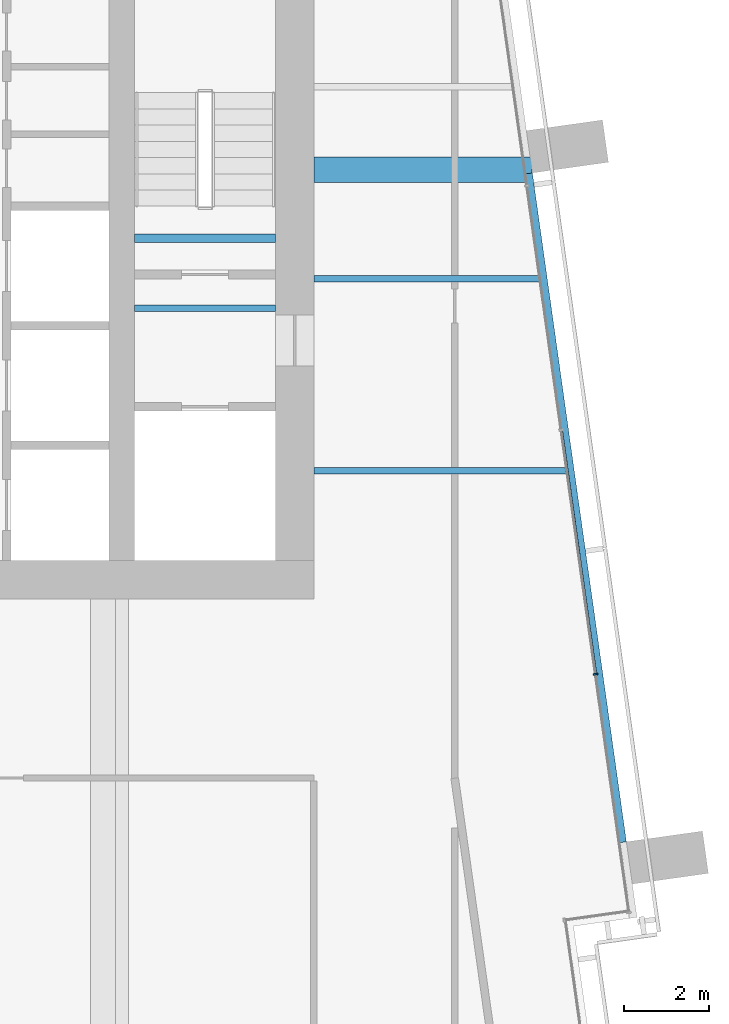
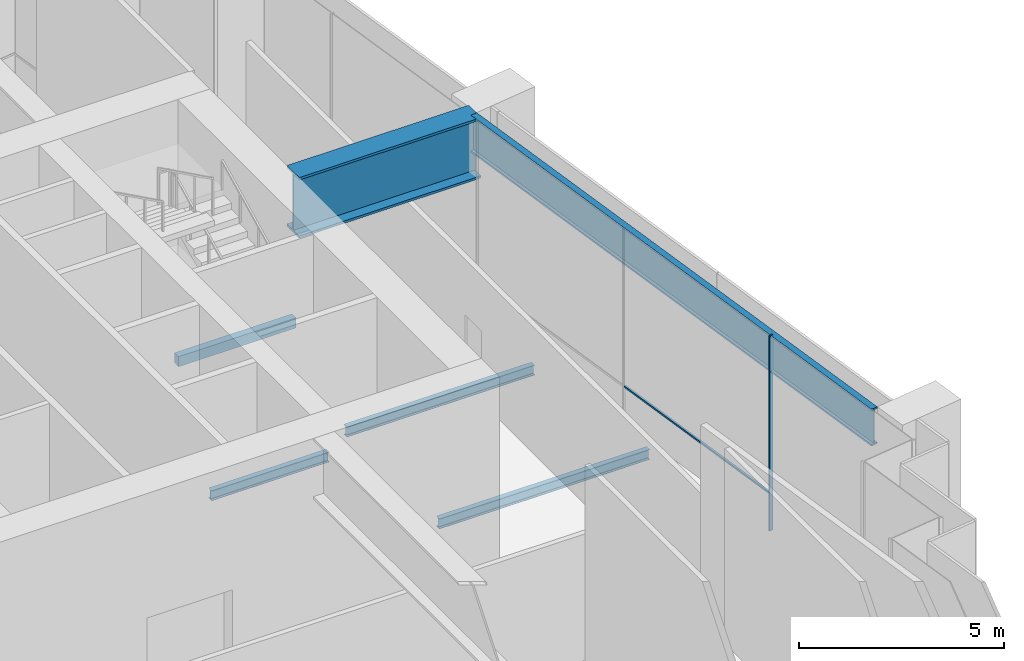
# One storey, part 8 of 25: 6 beams, 2 members, 1 element without a shape of its own.
"""IFC4 building model written with IfcOpenShell, lengths in metres."""

import ifcopenshell
import ifcopenshell.guid

model = None  # the IFC model being written
_history = None  # IfcOwnerHistory: only IFC2X3 demands one
_inside = {}  # id of a spatial element -> (the spatial element, [elements in it])
_under = {}  # id of a project, library or spatial element -> (it, [spatial elements below it])
_declared = {}  # id of a project -> (the project, [libraries it declares])
_typed = {}  # id of a type object -> (the type object, [elements of that type])
_made_of = {}  # id of a material, layer set ... -> (it, [elements and type objects made of it])


def new_model(schema):
    """Start an empty IFC model of exactly this schema.

    Asked for "IFC4X3", IfcOpenShell would pick the latest addendum, in which some entities
    have other attributes; the version numbers below select the first issue.
    IFC2X3 requires an IfcOwnerHistory on every rooted entity: one is made here for all.
    """
    global model, _history
    if schema == "IFC4X3":
        model = ifcopenshell.file(schema_version=(4, 3, 0, 0))
    else:
        model = ifcopenshell.file(schema=schema)
    _inside.clear()
    _under.clear()
    _declared.clear()
    _typed.clear()
    _made_of.clear()
    _history = None
    if model.schema == "IFC2X3":
        org = make("IfcOrganization", Name="unknown")
        user = make(
            "IfcPersonAndOrganization",
            ThePerson=make("IfcPerson", FamilyName="unknown"),
            TheOrganization=org,
        )
        app = make(
            "IfcApplication",
            ApplicationDeveloper=org,
            Version="unknown",
            ApplicationFullName="unknown",
            ApplicationIdentifier="unknown",
        )
        _history = make(
            "IfcOwnerHistory",
            OwningUser=user,
            OwningApplication=app,
            ChangeAction="ADDED",
            CreationDate=0,
        )
    return model


def make(cls, **values):
    """One entity of the class cls with the attributes given. An attribute that is None is left unset."""
    return model.create_entity(
        cls, **{name: value for name, value in values.items() if value is not None}
    )


def rooted(cls, **values):
    """An entity with a GlobalId (a new one), such as an element, a storey or a relation."""
    return make(cls, GlobalId=ifcopenshell.guid.new(), OwnerHistory=_history, **values)


def si_unit(unit_type, name, prefix=None):
    """IfcSIUnit, for example si_unit("LENGTHUNIT", "METRE", prefix="MILLI")."""
    return make("IfcSIUnit", UnitType=unit_type, Prefix=prefix, Name=name)


def assignment(units):
    """IfcUnitAssignment: the units of a project."""
    return None if units is None else make("IfcUnitAssignment", Units=units)


def point(xyz):
    """IfcCartesianPoint."""
    return None if xyz is None else make("IfcCartesianPoint", Coordinates=xyz)


def direction(xyz):
    """IfcDirection."""
    return None if xyz is None else make("IfcDirection", DirectionRatios=xyz)


def frame(location, z_axis=None, x_axis=None):
    """IfcAxis2Placement3D, a coordinate frame: its origin and axes. An axis left out is left unset."""
    return make(
        "IfcAxis2Placement3D",
        Location=point(location),
        Axis=direction(z_axis),
        RefDirection=direction(x_axis),
    )


def frame_2d(location, x_axis=None):
    """IfcAxis2Placement2D, a coordinate frame in the plane: its origin and x axis."""
    return make(
        "IfcAxis2Placement2D", Location=point(location), RefDirection=direction(x_axis)
    )


def origin():
    """The frame at (0, 0, 0) with its axes left unset."""
    return frame((0.0, 0.0, 0.0))


def origin_2d():
    """The frame at (0, 0) in the plane with its x axis left unset."""
    return frame_2d((0.0, 0.0))


def place(relative_to, where):
    """IfcLocalPlacement: puts the frame where relative to a parent placement (None: the world)."""
    return make(
        "IfcLocalPlacement", PlacementRelTo=relative_to, RelativePlacement=where
    )


def context(
    kind, dimensions, precision=None, world=None, true_north=None, identifier=None
):
    """IfcGeometricRepresentationContext, for example the 3D "Model" context."""
    return make(
        "IfcGeometricRepresentationContext",
        ContextIdentifier=identifier,
        ContextType=kind,
        CoordinateSpaceDimension=dimensions,
        Precision=precision,
        WorldCoordinateSystem=world,
        TrueNorth=true_north,
    )


def subcontext(parent, identifier, kind, view, scale=None):
    """IfcGeometricRepresentationSubContext, for example "Body" below "Model"."""
    return make(
        "IfcGeometricRepresentationSubContext",
        ContextIdentifier=identifier,
        ContextType=kind,
        ParentContext=parent,
        TargetScale=scale,
        TargetView=view,
    )


def project(units=None, contexts=None):
    """IfcProject with its units and contexts."""
    return rooted(
        "IfcProject",
        Name="project",
        RepresentationContexts=contexts,
        UnitsInContext=assignment(units),
    )


def spatial(cls, under=None, at=None, **own):
    """A site, building, storey or space (cls), placed at a placement, below another one or the project."""
    s = rooted(cls, ObjectPlacement=at, **own)
    if under is not None:
        _under.setdefault(under.id(), (under, []))[1].append(s)
    return s


def profile(cls, at=None, kind="AREA", **sizes):
    """A parametric profile (cls). Its sizes go by their IFC names, for example OverallWidth=200.0."""
    return make(cls, ProfileType=kind, Position=at, **sizes)


def rectangle(**sizes):
    """IfcRectangleProfileDef."""
    return profile("IfcRectangleProfileDef", **sizes)


def i_section(**sizes):
    """IfcIShapeProfileDef."""
    return profile("IfcIShapeProfileDef", **sizes)


def extrude(swept, where, along, depth):
    """IfcExtrudedAreaSolid: the profile swept, set in the frame where, extruded along a direction by depth."""
    return make(
        "IfcExtrudedAreaSolid",
        SweptArea=swept,
        Position=where,
        ExtrudedDirection=direction(along),
        Depth=depth,
    )


def shape(context_of_items, identifier, shape_type, items):
    """IfcShapeRepresentation: the items that make up one representation, for example the "Body"."""
    return make(
        "IfcShapeRepresentation",
        ContextOfItems=context_of_items,
        RepresentationIdentifier=identifier,
        RepresentationType=shape_type,
        Items=items,
    )


def material(Name=None, Category=None):
    """IfcMaterial."""
    return make("IfcMaterial", Name=Name, Category=Category)


def layer(
    of_material, thickness, ventilated=None, Name=None, Category=None, Priority=None
):
    """IfcMaterialLayer: one layer of a wall or slab, of a material (None: an air gap)."""
    return make(
        "IfcMaterialLayer",
        Material=of_material,
        LayerThickness=thickness,
        IsVentilated=ventilated,
        Name=Name,
        Category=Category,
        Priority=Priority,
    )


def layer_set(layers, Name=None):
    """IfcMaterialLayerSet."""
    return make("IfcMaterialLayerSet", MaterialLayers=layers, LayerSetName=Name)


def material_profile(
    of_material, cross_section, Name=None, Category=None, Priority=None
):
    """IfcMaterialProfile: a cross section and its material."""
    return make(
        "IfcMaterialProfile",
        Name=Name,
        Material=of_material,
        Profile=cross_section,
        Priority=Priority,
        Category=Category,
    )


def profile_set(profiles, Name=None, composite=None):
    """IfcMaterialProfileSet."""
    return make(
        "IfcMaterialProfileSet",
        Name=Name,
        MaterialProfiles=profiles,
        CompositeProfile=composite,
    )


def made_of(thing, what):
    """Note that an element or type object is made of a material, layer set ...; save() writes the relation."""
    if what is not None:
        _made_of.setdefault(what.id(), (what, []))[1].append(thing)
    return thing


def type_object(cls, material=None, **own):
    """A type object (cls), such as IfcWallType, which elements share."""
    return made_of(rooted(cls, **own), material)


def element(
    cls,
    number,
    at=None,
    inside=None,
    cuts=None,
    type_object=None,
    material=None,
    context=None,
    identifier="Body",
    shape_type=None,
    held_by="IfcProductDefinitionShape",
    body=None,
    shapes=None,
    **own,
):
    """One element of the class cls, such as IfcWall. Its Tag is "e" and its number.

    at: its placement. inside: the storey or other place that contains it. cuts: it is an
    opening in that element (IfcRelVoidsElement). A single representation is given by context,
    identifier, shape_type and body (its items); several are given by shapes. held_by: the class
    of the entity that holds the representations. save() writes the other relations.
    """
    e = rooted(cls, Tag="e%d" % number, ObjectPlacement=at, **own)
    if body is not None:
        shapes = [shape(context, identifier, shape_type, body)]
    if shapes is not None:
        e.Representation = make(held_by, Representations=shapes)
    if inside is not None:
        _inside.setdefault(inside.id(), (inside, []))[1].append(e)
    if cuts is not None:
        rooted(
            "IfcRelVoidsElement", RelatingBuildingElement=cuts, RelatedOpeningElement=e
        )
    if type_object is not None:
        _typed.setdefault(type_object.id(), (type_object, []))[1].append(e)
    return made_of(e, material)


def aggregate(whole, parts):
    """IfcRelAggregates: a whole, such as a stair, and the parts it consists of."""
    return rooted("IfcRelAggregates", RelatingObject=whole, RelatedObjects=parts)


def save(model, path):
    """Write the relations noted so far, then the file.

    IfcRelAggregates (storeys below a building ...), IfcRelContainedInSpatialStructure (elements
    in a storey), IfcRelDefinesByType, IfcRelAssociatesMaterial and IfcRelDeclares: one each for
    every whole, place, type object, material and project.
    """
    for whole, parts in _under.values():
        aggregate(whole, parts)
    for where, things in _inside.values():
        rooted(
            "IfcRelContainedInSpatialStructure",
            RelatedElements=things,
            RelatingStructure=where,
        )
    for kind, things in _typed.values():
        rooted("IfcRelDefinesByType", RelatedObjects=things, RelatingType=kind)
    for what, things in _made_of.values():
        rooted("IfcRelAssociatesMaterial", RelatedObjects=things, RelatingMaterial=what)
    for by, libraries in _declared.values():
        rooted("IfcRelDeclares", RelatingContext=by, RelatedDefinitions=libraries)
    model.write(path)


model = new_model("IFC4")

# Units and contexts
model_context = context("Model", 3, precision=1e-05, world=origin(), true_north=direction((0.0, 1.0)))
body_context = subcontext(model_context, "Body", "Model", "MODEL_VIEW")
ifc_project = project(units=[si_unit("LENGTHUNIT", "METRE"), si_unit("AREAUNIT", "SQUARE_METRE"), si_unit("VOLUMEUNIT", "CUBIC_METRE"), si_unit("PLANEANGLEUNIT", "RADIAN"), si_unit("MASSUNIT", "GRAM", prefix="KILO")], contexts=[model_context])

# Site, building, storey
site_placement = place(None, origin())
site = spatial("IfcSite", under=ifc_project, at=site_placement, CompositionType="ELEMENT")
building_placement = place(site_placement, origin())
building = spatial("IfcBuilding", under=site, at=building_placement, Name="Rattan Terrace Tower", CompositionType="ELEMENT")
storey_placement = place(building_placement, frame((0.0, 0.0, 286.300048828125)))
storey = spatial("IfcBuildingStorey", under=building, at=storey_placement, Name="L66", CompositionType="ELEMENT", Elevation=286.300048828125)

# Beams
ifc_material_1 = material(Name="Concrete C40/50", Category="concrete")
ifc_material_profile_1 = material_profile(ifc_material_1, rectangle(XDim=0.199951171875, YDim=0.300048828125, at=origin_2d()), Name="RC 200x300")
ifc_profile_set_1 = profile_set([ifc_material_profile_1], Name="Concrete C40/50")
beam_type_1 = type_object("IfcBeamType", Name="Core landing beam RC 200x300", PredefinedType="BEAM", material=ifc_profile_set_1)
beam_1_placement = place(storey_placement, frame((13.800048828125, 0.949951171875, 2.64990234375), z_axis=(1.0, 0.0, 0.0), x_axis=(0.0, 1.0, 0.0)))
element("IfcBeam", 1, at=beam_1_placement, inside=storey, type_object=beam_type_1, Name="st-S2-L66 landing 2 edge beam", PredefinedType="BEAM", context=body_context, shape_type="SweptSolid", body=[
    extrude(rectangle(XDim=0.199951171875, YDim=0.300048828125, at=origin_2d()), origin(), (0.0, 0.0, 1.0), 3.300048828125),
])
ifc_material_2 = material(Name="Steel S355", Category="steel")
ifc_material_profile_2 = material_profile(ifc_material_2, i_section(OverallWidth=0.14990234375, OverallDepth=0.300048828125, WebThickness=0.007080078125, FlangeThickness=0.0107421875, FilletRadius=0.014892578125, at=origin_2d()), Name="IPE 300")
ifc_profile_set_2 = profile_set([ifc_material_profile_2], Name="Steel S355")
beam_type_2 = type_object("IfcBeamType", Name="Frame floor beam IPE 300", PredefinedType="JOIST", material=ifc_profile_set_2)
beam_2_placement = place(storey_placement, frame((13.800048828125, -0.695068359375, -0.35009765625), z_axis=(1.0, 0.0, 0.0), x_axis=(0.0, 1.0, 0.0)))
element("IfcBeam", 2, at=beam_2_placement, inside=storey, type_object=beam_type_2, Name="bm-L66-002", PredefinedType="JOIST", context=body_context, shape_type="SweptSolid", body=[
    extrude(i_section(OverallWidth=0.14990234375, OverallDepth=0.300048828125, WebThickness=0.007080078125, FlangeThickness=0.0107421875, FilletRadius=0.014892578125, at=origin_2d()), origin(), (0.0, 0.0, 1.0), 3.300048828125),
])
beam_3_placement = place(storey_placement, frame((18.0, -4.5, -0.35009765625), z_axis=(1.0, 0.0, 0.0), x_axis=(0.0, 1.0, 0.0)))
element("IfcBeam", 3, at=beam_3_placement, inside=storey, type_object=beam_type_2, Name="bm-L66-011", PredefinedType="JOIST", context=body_context, shape_type="SweptSolid", body=[
    extrude(i_section(OverallWidth=0.14990234375, OverallDepth=0.300048828125, WebThickness=0.007080078125, FlangeThickness=0.0107421875, FilletRadius=0.014892578125, at=origin_2d()), origin(), (0.0, 0.0, 1.0), 5.908935546875),
])
beam_4_placement = place(storey_placement, frame((18.0, 0.0, -0.35009765625), z_axis=(1.0, 0.0, 0.0), x_axis=(0.0, 1.0, 0.0)))
element("IfcBeam", 4, at=beam_4_placement, inside=storey, type_object=beam_type_2, Name="bm-L66-013", PredefinedType="JOIST", context=body_context, shape_type="SweptSolid", body=[
    extrude(i_section(OverallWidth=0.14990234375, OverallDepth=0.300048828125, WebThickness=0.007080078125, FlangeThickness=0.0107421875, FilletRadius=0.014892578125, at=origin_2d()), origin(), (0.0, 0.0, 1.0), 5.277099609375),
])
ifc_material_3 = material(Name="Steel S460", Category="steel")
ifc_material_profile_3 = material_profile(ifc_material_3, i_section(OverallWidth=0.179931640625, OverallDepth=1.10009765625, WebThickness=0.01611328125, FlangeThickness=0.050048828125, at=origin_2d()), Name="PG 1100x180-16-50")
ifc_profile_set_3 = profile_set([ifc_material_profile_3], Name="Steel S460")
beam_type_3 = type_object("IfcBeamType", Name="Frame transfer girder PG 1100x180-16-50", PredefinedType="USERDEFINED", material=ifc_profile_set_3)
beam_5_placement = place(storey_placement, frame((25.23388671875, -13.20703125, 5.25), z_axis=(-0.139175186364, 0.990267775655, 0.0), x_axis=(-0.990267775655, -0.139175186364, 0.0)))
element("IfcBeam", 5, at=beam_5_placement, inside=storey, type_object=beam_type_3, Name="trf-L66-001", ObjectType="TRANSFER GIRDER", PredefinedType="USERDEFINED", context=body_context, shape_type="SweptSolid", body=[
    extrude(i_section(OverallWidth=0.179931640625, OverallDepth=1.10009765625, WebThickness=0.01611328125, FlangeThickness=0.050048828125, at=origin_2d()), origin(), (0.0, 0.0, 1.0), 15.828125),
])
ifc_material_4 = material(Name="Steel S460", Category="steel")
ifc_material_profile_4 = material_profile(ifc_material_4, i_section(OverallWidth=0.60009765625, OverallDepth=1.800048828125, WebThickness=0.0400390625, FlangeThickness=0.070068359375, at=origin_2d()), Name="PG 1800x600-40-70")
ifc_profile_set_4 = profile_set([ifc_material_profile_4], Name="Steel S460")
beam_type_4 = type_object("IfcBeamType", Name="Frame transfer girder PG 1800x600-40-70", PredefinedType="USERDEFINED", material=ifc_profile_set_4)
beam_6_placement = place(storey_placement, frame((18.0, 2.550048828125, 4.89990234375), z_axis=(1.0, 0.0, 0.0), x_axis=(0.0, 1.0, 0.0)))
element("IfcBeam", 6, at=beam_6_placement, inside=storey, type_object=beam_type_4, Name="trf-L66-009", ObjectType="TRANSFER GIRDER", PredefinedType="USERDEFINED", context=body_context, shape_type="SweptSolid", body=[
    extrude(i_section(OverallWidth=0.60009765625, OverallDepth=1.800048828125, WebThickness=0.0400390625, FlangeThickness=0.070068359375, at=origin_2d()), origin(), (0.0, 0.0, 1.0), 5.110107421875),
])

# Curtain wall, members
ifc_material_5 = material(Name="Aluminium and structural silicone glass", Category="aluminium")
ifc_layer = layer(ifc_material_5, 0.10009765625)
ifc_layer_set = layer_set([ifc_layer], Name="Observation Structural Silicone Curtain Wall")
curtain_wall_type = type_object("IfcCurtainWallType", Name="Observation Structural Silicone Curtain Wall", PredefinedType="NOTDEFINED", material=ifc_layer_set)
curtain_wall_placement = place(storey_placement, origin())
curtain_wall = element("IfcCurtainWall", 7, at=curtain_wall_placement, inside=storey, type_object=curtain_wall_type, Name="Observation curtain wall L66-6", PredefinedType="NOTDEFINED")
ifc_material_6 = material(Name="Aluminium", Category="aluminium")
ifc_material_profile_5 = material_profile(ifc_material_6, rectangle(XDim=0.0400390625, YDim=0.10009765625, at=origin_2d()), Name="Aluminium 40x100")
ifc_profile_set_5 = profile_set([ifc_material_profile_5], Name="Aluminium")
member_type_1 = type_object("IfcMemberType", Name="Observation CW Mullion 40x100", PredefinedType="MULLION", material=ifc_profile_set_5)
member_1_placement = place(storey_placement, frame((24.598388671875, -9.265869140625, 0.0), z_axis=(0.0, 0.0, 1.0), x_axis=(-0.139191775431, 0.990265444036, 0.0)))
member_1 = element("IfcMember", 8, at=member_1_placement, type_object=member_type_1, Name="Mullion cwl-L66-006.2", PredefinedType="MULLION", context=body_context, shape_type="SweptSolid", body=[
    extrude(rectangle(XDim=0.0400390625, YDim=0.10009765625, at=origin_2d()), origin(), (0.0, 0.0, 1.0), 5.800048828125),
])
ifc_material_7 = material(Name="Aluminium", Category="aluminium")
ifc_material_profile_6 = material_profile(ifc_material_7, rectangle(XDim=0.06005859375, YDim=0.050048828125, at=origin_2d()), Name="Aluminium 60x50")
ifc_profile_set_6 = profile_set([ifc_material_profile_6], Name="Aluminium")
member_type_2 = type_object("IfcMemberType", Name="Observation CW Transom 60x50", PredefinedType="USERDEFINED", material=ifc_profile_set_6)
member_2_placement = place(storey_placement, frame((24.595703125, -9.24609375, 1.099853515625), z_axis=(-0.139217019917, 0.990261895341, 0.0), x_axis=(-0.990261895341, -0.139217019917, 0.0)))
member_2 = element("IfcMember", 9, at=member_2_placement, type_object=member_type_2, Name="Transom cwl-L66-006.2", ObjectType="TRANSOM", PredefinedType="USERDEFINED", context=body_context, shape_type="SweptSolid", body=[
    extrude(rectangle(XDim=0.06005859375, YDim=0.050048828125, at=origin_2d()), origin(), (0.0, 0.0, 1.0), 5.738037109375),
])
aggregate(curtain_wall, [member_1, member_2])

save(model, "model.ifc")
